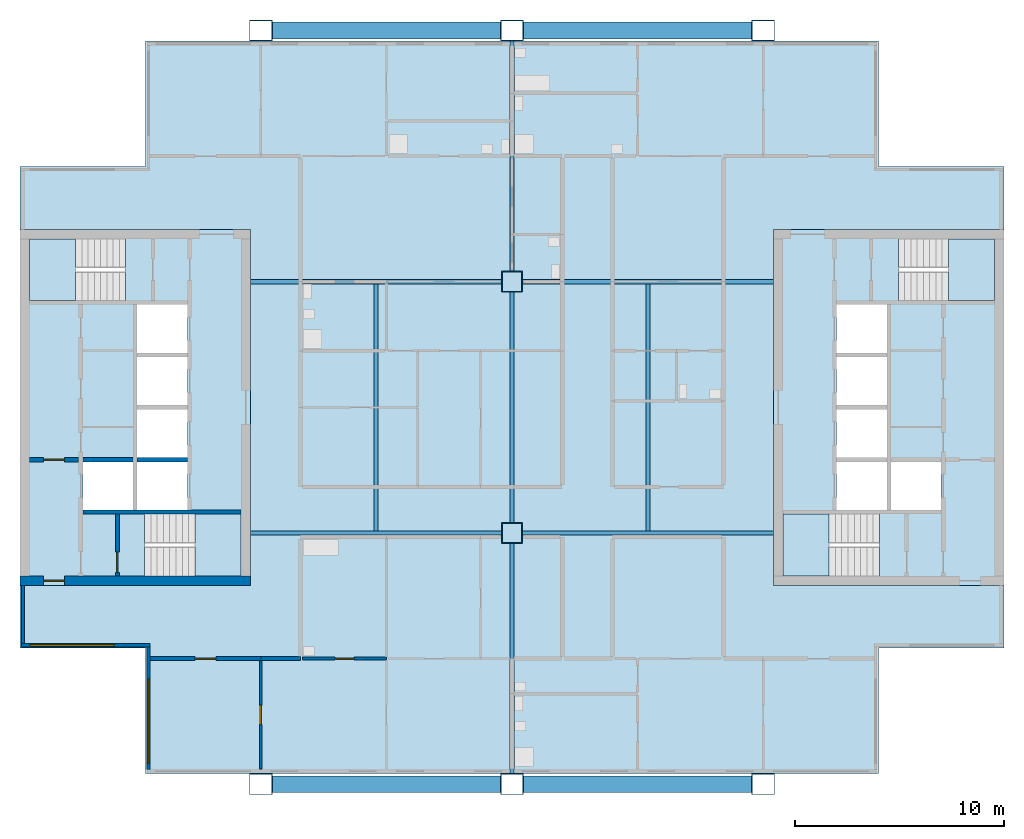
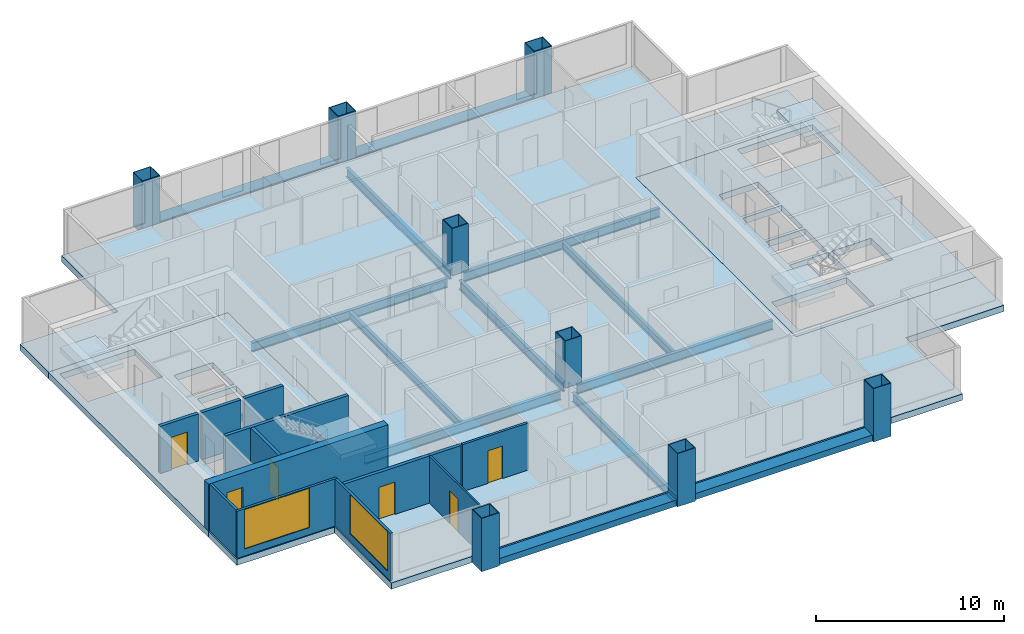
# One storey, part 1 of 9: 13 beams, 13 walls, 8 columns, 7 slabs, 6 doors, 2 windows, 8 openings, 4 elements without a shape of their own.
"""IFC4 building model written with IfcOpenShell, lengths in metres."""

from ifc_helpers import new_model, si_unit, direction, frame, frame_2d, origin, origin_2d, place, context, subcontext, project, spatial, polyline, rectangle, hollow_rectangle, i_section, outline, extrude, material, layer, layer_set, material_profile, profile_set, type_object, element, fill, aggregate, save


model = new_model("IFC4")

# Units and contexts
model_context = context("Model", 3, precision=1e-05, world=origin(), true_north=direction((0.0, 1.0)))
body_context = subcontext(model_context, "Body", "Model", "MODEL_VIEW")
ifc_project = project(units=[si_unit("LENGTHUNIT", "METRE"), si_unit("AREAUNIT", "SQUARE_METRE"), si_unit("VOLUMEUNIT", "CUBIC_METRE"), si_unit("PLANEANGLEUNIT", "RADIAN"), si_unit("MASSUNIT", "GRAM", prefix="KILO")], contexts=[model_context])

# Site, building, storey
site_placement = place(None, origin())
site = spatial("IfcSite", under=ifc_project, at=site_placement, CompositionType="ELEMENT")
building_placement = place(site_placement, origin())
building = spatial("IfcBuilding", under=site, at=building_placement, Name="Kitamizu Gate Tower and Museum", CompositionType="ELEMENT")
storey_placement = place(building_placement, frame((0.0, 0.0, 221.39990234375)))
storey = spatial("IfcBuildingStorey", under=building, at=storey_placement, Name="L59", CompositionType="ELEMENT", Elevation=221.39990234375)

# Columns
ifc_material_1 = material(Name="Steel SM490A bronze coated", Category="steel")
ifc_material_profile_1 = material_profile(ifc_material_1, hollow_rectangle(XDim=1.10009765625, YDim=1.0, WallThickness=0.0400390625, at=origin_2d()), Name="BOX 1100x1000x40")
ifc_profile_set_1 = profile_set([ifc_material_profile_1], Name="Steel SM490A bronze coated")
column_type_1 = type_object("IfcColumnType", Name="Exoskeleton column XC8 BOX 1100x1000x40", PredefinedType="COLUMN", material=ifc_profile_set_1)
for number, where, z_axis, x_axis, name in (
    (1, (24.0, 12.0, -0.39990234375), (0.0, 0.0, 1.0), (1.0, 0.0, 0.0), "Column XC8 3B L59"),
    (2, (24.0, 48.0, -0.39990234375), (0.0, 0.0, 1.0), (1.0, 0.0, 0.0), "Column XC8 3E L59"),
    (3, (36.0, 12.0, -0.39990234375), (0.0, 0.0, 1.0), (1.0, 0.0, 0.0), "Column XC8 4B L59"),
    (4, (36.0, 48.0, -0.39990234375), (0.0, 0.0, 1.0), (1.0, 0.0, 0.0), "Column XC8 4E L59"),
    (5, (48.0, 12.0, -0.39990234375), (0.0, 0.0, 1.0), (1.0, 0.0, 0.0), "Column XC8 5B L59"),
    (6, (48.0, 48.0, -0.39990234375), (0.0, 0.0, 1.0), (1.0, 0.0, 0.0), "Column XC8 5E L59"),
):
    element("IfcColumn", number, at=place(storey_placement, frame(where, z_axis=z_axis, x_axis=x_axis)), inside=storey, type_object=column_type_1, Name=name, PredefinedType="COLUMN", context=body_context, shape_type="SweptSolid", body=[
        extrude(hollow_rectangle(XDim=1.10009765625, YDim=1.0, WallThickness=0.0400390625, at=origin_2d()), origin(), (0.0, 0.0, 1.0), 3.449951171875),
    ])
ifc_material_2 = material(Name="Steel SM490A", Category="steel")
ifc_material_profile_2 = material_profile(ifc_material_2, hollow_rectangle(XDim=1.0, YDim=1.0, WallThickness=0.0400390625, at=origin_2d()), Name="BOX 1000x1000x40")
ifc_profile_set_2 = profile_set([ifc_material_profile_2], Name="Steel SM490A")
column_type_2 = type_object("IfcColumnType", Name="Interior column IC5 BOX 1000x1000x40", PredefinedType="COLUMN", material=ifc_profile_set_2)
for number, where, z_axis, x_axis, name in (
    (7, (36.0, 24.0, 0.0), (0.0, 0.0, 1.0), (1.0, 0.0, 0.0), "Column IC5 4C L59"),
    (8, (36.0, 36.0, 0.0), (0.0, 0.0, 1.0), (1.0, 0.0, 0.0), "Column IC5 4D L59"),
):
    element("IfcColumn", number, at=place(storey_placement, frame(where, z_axis=z_axis, x_axis=x_axis)), inside=storey, type_object=column_type_2, Name=name, PredefinedType="COLUMN", context=body_context, shape_type="SweptSolid", body=[
        extrude(hollow_rectangle(XDim=1.0, YDim=1.0, WallThickness=0.0400390625, at=origin_2d()), origin(), (0.0, 0.0, 1.0), 3.050048828125),
    ])

# Beams
ifc_material_3 = material(Name="Steel SM490A bronze coated", Category="steel")
ifc_material_profile_3 = material_profile(ifc_material_3, hollow_rectangle(XDim=0.800048828125, YDim=0.39990234375, WallThickness=0.0400390625, at=origin_2d()), Name="BOX 800x400x40")
ifc_profile_set_3 = profile_set([ifc_material_profile_3], Name="Steel SM490A bronze coated")
beam_type_1 = type_object("IfcBeamType", Name="Exoskeleton spandrel beam SB1 BOX 800x400x40", PredefinedType="SPANDREL", material=ifc_profile_set_3)
for number, where, z_axis, x_axis, name in (
    (9, (24.550048828125, 12.0, -0.199951171875), (1.0, 0.0, 0.0), (0.0, 1.0, 0.0), "Exoskeleton spandrel beam south 24 L59"),
    (10, (36.550048828125, 12.0, -0.199951171875), (1.0, 0.0, 0.0), (0.0, 1.0, 0.0), "Exoskeleton spandrel beam south 36 L59"),
    (11, (24.550048828125, 48.0, -0.199951171875), (1.0, 0.0, 0.0), (0.0, 1.0, 0.0), "Exoskeleton spandrel beam north 24 L59"),
    (12, (36.550048828125, 48.0, -0.199951171875), (1.0, 0.0, 0.0), (0.0, 1.0, 0.0), "Exoskeleton spandrel beam north 36 L59"),
):
    element("IfcBeam", number, at=place(storey_placement, frame(where, z_axis=z_axis, x_axis=x_axis)), inside=storey, type_object=beam_type_1, Name=name, PredefinedType="SPANDREL", context=body_context, shape_type="SweptSolid", body=[
        extrude(hollow_rectangle(XDim=0.800048828125, YDim=0.39990234375, WallThickness=0.0400390625, at=origin_2d()), origin(), (0.0, 0.0, 1.0), 10.89990234375),
    ])
ifc_material_4 = material(Name="Steel SM490A", Category="steel")
ifc_material_profile_4 = material_profile(ifc_material_4, i_section(OverallWidth=0.199951171875, OverallDepth=0.5, WebThickness=0.010009765625, FlangeThickness=0.01611328125, FilletRadius=0.02001953125, at=origin_2d()), Name="H-500x200x10x16")
ifc_profile_set_4 = profile_set([ifc_material_profile_4], Name="Steel SM490A")
beam_type_2 = type_object("IfcBeamType", Name="Floor beam FB1 H 500x200x10x16", PredefinedType="BEAM", material=ifc_profile_set_4)
for number, where, z_axis, x_axis, name in (
    (13, (29.5, 24.10009765625, -0.64990234375), (0.0, 1.0, 0.0), (-1.0, 0.0, 0.0), "Floor beam FB1 L59-1"),
    (14, (42.5, 24.10009765625, -0.64990234375), (0.0, 1.0, 0.0), (-1.0, 0.0, 0.0), "Floor beam FB1 L59-2"),
):
    element("IfcBeam", number, at=place(storey_placement, frame(where, z_axis=z_axis, x_axis=x_axis)), inside=storey, type_object=beam_type_2, Name=name, PredefinedType="BEAM", context=body_context, shape_type="SweptSolid", body=[
        extrude(i_section(OverallWidth=0.199951171875, OverallDepth=0.5, WebThickness=0.010009765625, FlangeThickness=0.01611328125, FilletRadius=0.02001953125, at=origin_2d()), origin(), (0.0, 0.0, 1.0), 11.7998046875),
    ])
ifc_material_5 = material(Name="Steel SM490A", Category="steel")
ifc_material_profile_5 = material_profile(ifc_material_5, i_section(OverallWidth=0.199951171875, OverallDepth=0.60009765625, WebThickness=0.010986328125, FlangeThickness=0.01708984375, FilletRadius=0.02197265625, at=origin_2d()), Name="H-600x200x11x17")
ifc_profile_set_5 = profile_set([ifc_material_profile_5], Name="Steel SM490A")
beam_type_3 = type_object("IfcBeamType", Name="Floor girder FG1 H 600x200x11x17", PredefinedType="BEAM", material=ifc_profile_set_5)
for number, where, z_axis, x_axis, name in (
    (15, (36.0, 12.5, -0.699951171875), (0.0, 1.0, 0.0), (-1.0, 0.0, 0.0), "Floor girder FG1 x36 L59"),
    (16, (36.0, 24.5, -0.699951171875), (0.0, 1.0, 0.0), (-1.0, 0.0, 0.0), "Floor girder FG1 x36 L59"),
    (17, (36.0, 36.5, -0.699951171875), (0.0, 1.0, 0.0), (-1.0, 0.0, 0.0), "Floor girder FG1 x36 L59"),
):
    element("IfcBeam", number, at=place(storey_placement, frame(where, z_axis=z_axis, x_axis=x_axis)), inside=storey, type_object=beam_type_3, Name=name, PredefinedType="BEAM", context=body_context, shape_type="SweptSolid", body=[
        extrude(i_section(OverallWidth=0.199951171875, OverallDepth=0.60009765625, WebThickness=0.010986328125, FlangeThickness=0.01708984375, FilletRadius=0.02197265625, at=origin_2d()), origin(), (0.0, 0.0, 1.0), 11.0),
    ])
for number, where, z_axis, x_axis, name in (
    (18, (23.5, 24.0, -0.699951171875), (1.0, 0.0, 0.0), (0.0, 1.0, 0.0), "Floor girder FG1 y24 L59"),
    (19, (36.5, 24.0, -0.699951171875), (1.0, 0.0, 0.0), (0.0, 1.0, 0.0), "Floor girder FG1 y24 L59"),
    (20, (23.5, 36.0, -0.699951171875), (1.0, 0.0, 0.0), (0.0, 1.0, 0.0), "Floor girder FG1 y36 L59"),
    (21, (36.5, 36.0, -0.699951171875), (1.0, 0.0, 0.0), (0.0, 1.0, 0.0), "Floor girder FG1 y36 L59"),
):
    element("IfcBeam", number, at=place(storey_placement, frame(where, z_axis=z_axis, x_axis=x_axis)), inside=storey, type_object=beam_type_3, Name=name, PredefinedType="BEAM", context=body_context, shape_type="SweptSolid", body=[
        extrude(i_section(OverallWidth=0.199951171875, OverallDepth=0.60009765625, WebThickness=0.010986328125, FlangeThickness=0.01708984375, FilletRadius=0.02197265625, at=origin_2d()), origin(), (0.0, 0.0, 1.0), 12.0),
    ])

# Slabs
ifc_material_6 = material(Name="Concrete Fc36", Category="concrete")
ifc_layer_1 = layer(ifc_material_6, 0.39990234375)
ifc_layer_set_1 = layer_set([ifc_layer_1], Name="Concrete Fc36")
slab_type_1 = type_object("IfcSlabType", Name="Core floor slab 400", PredefinedType="FLOOR", material=ifc_layer_set_1)
slab_1_placement = place(storey_placement, frame((0.0, 0.0, -0.39990234375)))
element("IfcSlab", 22, at=slab_1_placement, inside=storey, type_object=slab_type_1, Name="Core floor slab W", PredefinedType="FLOOR", context=body_context, shape_type="SweptSolid", body=[
    extrude(outline(polyline([(12.5, 21.5), (23.5, 21.5), (23.5, 38.5), (12.5, 38.5), (12.5, 21.5)]), holes=[polyline([(15.5, 25.10009765625), (17.89990234375, 25.10009765625), (17.89990234375, 27.39990234375), (15.5, 27.39990234375), (15.5, 25.10009765625)]), polyline([(18.10009765625, 25.10009765625), (20.5, 25.10009765625), (20.5, 27.39990234375), (18.10009765625, 27.39990234375), (18.10009765625, 25.10009765625)]), polyline([(18.10009765625, 27.60009765625), (20.5, 27.60009765625), (20.5, 29.89990234375), (18.10009765625, 29.89990234375), (18.10009765625, 27.60009765625)]), polyline([(18.10009765625, 30.10009765625), (20.5, 30.10009765625), (20.5, 32.39990234375), (18.10009765625, 32.39990234375), (18.10009765625, 30.10009765625)]), polyline([(18.10009765625, 32.60009765625), (20.5, 32.60009765625), (20.5, 34.89990234375), (18.10009765625, 34.89990234375), (18.10009765625, 32.60009765625)]), polyline([(18.45068359375, 21.949951171875), (23.050048828125, 21.949951171875), (23.050048828125, 24.89990234375), (18.45068359375, 24.89990234375), (18.45068359375, 21.949951171875)]), polyline([(12.949951171875, 35.10009765625), (17.54931640625, 35.10009765625), (17.54931640625, 38.050048828125), (12.949951171875, 38.050048828125), (12.949951171875, 35.10009765625)])]), origin(), (0.0, 0.0, 1.0), 0.39990234375),
])
slab_2_placement = place(storey_placement, frame((0.0, 0.0, -0.39990234375)))
element("IfcSlab", 23, at=slab_2_placement, inside=storey, type_object=slab_type_1, Name="Core floor slab E", PredefinedType="FLOOR", context=body_context, shape_type="SweptSolid", body=[
    extrude(outline(polyline([(48.5, 21.5), (59.5, 21.5), (59.5, 38.5), (48.5, 38.5), (48.5, 21.5)]), holes=[polyline([(54.10009765625, 25.10009765625), (56.5, 25.10009765625), (56.5, 27.39990234375), (54.10009765625, 27.39990234375), (54.10009765625, 25.10009765625)]), polyline([(51.5, 25.10009765625), (53.89990234375, 25.10009765625), (53.89990234375, 27.39990234375), (51.5, 27.39990234375), (51.5, 25.10009765625)]), polyline([(51.5, 27.60009765625), (53.89990234375, 27.60009765625), (53.89990234375, 29.89990234375), (51.5, 29.89990234375), (51.5, 27.60009765625)]), polyline([(51.5, 30.10009765625), (53.89990234375, 30.10009765625), (53.89990234375, 32.39990234375), (51.5, 32.39990234375), (51.5, 30.10009765625)]), polyline([(51.5, 32.60009765625), (53.89990234375, 32.60009765625), (53.89990234375, 34.89990234375), (51.5, 34.89990234375), (51.5, 32.60009765625)]), polyline([(48.949951171875, 21.949951171875), (53.54931640625, 21.949951171875), (53.54931640625, 24.89990234375), (48.949951171875, 24.89990234375), (48.949951171875, 21.949951171875)]), polyline([(54.45068359375, 35.10009765625), (59.050048828125, 35.10009765625), (59.050048828125, 38.050048828125), (54.45068359375, 38.050048828125), (54.45068359375, 35.10009765625)])]), origin(), (0.0, 0.0, 1.0), 0.39990234375),
])
ifc_material_7 = material(Name="Concrete Fc36", Category="concrete")
ifc_layer_2 = layer(ifc_material_7, 0.39990234375)
ifc_layer_set_2 = layer_set([ifc_layer_2], Name="Concrete Fc36")
slab_type_2 = type_object("IfcSlabType", Name="Post tensioned flat slab 400", PredefinedType="FLOOR", material=ifc_layer_set_2)
slab_3_placement = place(storey_placement, frame((0.0, 0.0, -0.39990234375)))
element("IfcSlab", 24, at=slab_3_placement, inside=storey, type_object=slab_type_2, Name="Floor slab L59-1", PredefinedType="FLOOR", context=body_context, shape_type="SweptSolid", body=[
    extrude(outline(polyline([(12.5, 18.5), (12.5, 21.5), (23.5, 21.5), (23.5, 38.5), (12.5, 38.5), (12.5, 41.5), (18.5, 41.5), (18.5, 47.5), (53.5, 47.5), (53.5, 41.5), (59.5, 41.5), (59.5, 38.5), (48.5, 38.5), (48.5, 21.5), (59.5, 21.5), (59.5, 18.5), (53.5, 18.5), (53.5, 12.5), (18.5, 12.5), (18.5, 18.5), (12.5, 18.5)])), origin(), (0.0, 0.0, 1.0), 0.39990234375),
])

# Stair, slab
ifc_material_8 = material(Name="Concrete Fc42", Category="concrete")
stair_type = type_object("IfcStairType", Name="Exit stair 1375 wide 192 rise 300 going", PredefinedType="HALF_TURN_STAIR", material=ifc_material_8)
stair_1_placement = place(storey_placement, origin())
stair_1 = element("IfcStair", 25, at=stair_1_placement, inside=storey, type_object=stair_type, Name="Exit stair ST1", PredefinedType="HALF_TURN_STAIR")
ifc_material_9 = material(Name="Concrete Fc42", Category="concrete")
ifc_layer_3 = layer(ifc_material_9, 0.300048828125)
ifc_layer_set_3 = layer_set([ifc_layer_3], Name="Concrete Fc42")
slab_type_3 = type_object("IfcSlabType", Name="Stair landing 300", PredefinedType="LANDING", material=ifc_layer_set_3)
slab_4_placement = place(storey_placement, frame((0.0, 0.0, 1.425048828125)))
slab_4 = element("IfcSlab", 26, at=slab_4_placement, type_object=slab_type_3, Name="ST1 landing 1", PredefinedType="LANDING", context=body_context, shape_type="SweptSolid", body=[
    extrude(outline(polyline([(20.85009765625, 21.949951171875), (23.050048828125, 21.949951171875), (23.050048828125, 24.89990234375), (20.85009765625, 24.89990234375), (20.85009765625, 21.949951171875)])), origin(), (0.0, 0.0, 1.0), 0.300048828125),
])
aggregate(stair_1, [slab_4])

stair_2_placement = place(storey_placement, origin())
stair_2 = element("IfcStair", 27, at=stair_2_placement, inside=storey, type_object=stair_type, Name="Exit stair ST2", PredefinedType="HALF_TURN_STAIR")
slab_5_placement = place(storey_placement, frame((0.0, 0.0, 1.425048828125)))
slab_5 = element("IfcSlab", 28, at=slab_5_placement, type_object=slab_type_3, Name="ST2 landing 1", PredefinedType="LANDING", context=body_context, shape_type="SweptSolid", body=[
    extrude(outline(polyline([(12.949951171875, 35.10009765625), (15.14990234375, 35.10009765625), (15.14990234375, 38.050048828125), (12.949951171875, 38.050048828125), (12.949951171875, 35.10009765625)])), origin(), (0.0, 0.0, 1.0), 0.300048828125),
])
aggregate(stair_2, [slab_5])

stair_3_placement = place(storey_placement, origin())
stair_3 = element("IfcStair", 29, at=stair_3_placement, inside=storey, type_object=stair_type, Name="Exit stair ST3", PredefinedType="HALF_TURN_STAIR")
slab_6_placement = place(storey_placement, frame((0.0, 0.0, 1.425048828125)))
slab_6 = element("IfcSlab", 30, at=slab_6_placement, type_object=slab_type_3, Name="ST3 landing 1", PredefinedType="LANDING", context=body_context, shape_type="SweptSolid", body=[
    extrude(outline(polyline([(48.949951171875, 21.949951171875), (51.14990234375, 21.949951171875), (51.14990234375, 24.89990234375), (48.949951171875, 24.89990234375), (48.949951171875, 21.949951171875)])), origin(), (0.0, 0.0, 1.0), 0.300048828125),
])
aggregate(stair_3, [slab_6])

stair_4_placement = place(storey_placement, origin())
stair_4 = element("IfcStair", 31, at=stair_4_placement, inside=storey, type_object=stair_type, Name="Exit stair ST4", PredefinedType="HALF_TURN_STAIR")
slab_7_placement = place(storey_placement, frame((0.0, 0.0, 1.425048828125)))
slab_7 = element("IfcSlab", 32, at=slab_7_placement, type_object=slab_type_3, Name="ST4 landing 1", PredefinedType="LANDING", context=body_context, shape_type="SweptSolid", body=[
    extrude(outline(polyline([(56.85009765625, 35.10009765625), (59.050048828125, 35.10009765625), (59.050048828125, 38.050048828125), (56.85009765625, 38.050048828125), (56.85009765625, 35.10009765625)])), origin(), (0.0, 0.0, 1.0), 0.300048828125),
])
aggregate(stair_4, [slab_7])

# Wall, opening, door
ifc_material_10 = material(Name="Concrete Fc42", Category="concrete")
ifc_layer_4 = layer(ifc_material_10, 0.449951171875)
ifc_layer_set_4 = layer_set([ifc_layer_4], Name="Concrete Fc42")
wall_type_1 = type_object("IfcWallType", Name="Core wall 450", PredefinedType="SHEAR", material=ifc_layer_set_4)
wall_1_placement = place(storey_placement, frame((12.5, 21.72509765625, 0.0), z_axis=(0.0, 0.0, 1.0), x_axis=(1.0, 0.0, 0.0)))
wall_1 = element("IfcWall", 33, at=wall_1_placement, inside=storey, type_object=wall_type_1, Name="Core wall WS", PredefinedType="SHEAR", context=body_context, shape_type="SweptSolid", body=[
    extrude(rectangle(XDim=11.0, YDim=0.449951171875, at=frame_2d((5.5, 0.0))), origin(), (0.0, 0.0, 1.0), 3.050048828125),
])
opening_1_placement = place(wall_1_placement, frame((1.125, 0.0, 0.0)))
opening_1 = element("IfcOpeningElement", 34, at=opening_1_placement, cuts=wall_1, Name="Opening L59-039", PredefinedType="OPENING", context=body_context, shape_type="SweptSolid", body=[
    extrude(rectangle(XDim=1.0, YDim=2.10009765625, at=frame_2d((0.5, 1.050048828125))), frame((0.0, 0.23486328125, 0.0), z_axis=(0.0, -1.0, 0.0), x_axis=(1.0, 0.0, 0.0)), (0.0, 0.0, 1.0), 0.469970703125),
])
ifc_material_11 = material(Name="Hollow metal door set")
door_type_1 = type_object("IfcDoorType", Name="Fire door 1000", OperationType="NOTDEFINED", PredefinedType="DOOR", material=ifc_material_11)
door_1_placement = place(opening_1_placement, origin())
door_1 = element("IfcDoor", 35, at=door_1_placement, inside=storey, type_object=door_type_1, Name="Fire-fighting lobby door L59-039", OperationType="SINGLE_SWING_LEFT", OverallHeight=2.10009765625, OverallWidth=1.0, PredefinedType="DOOR", context=body_context, shape_type="SweptSolid", body=[
    extrude(rectangle(XDim=1.0, YDim=2.10009765625, at=frame_2d((0.5, 1.050048828125))), frame((0.0, 0.02490234375, 0.0), z_axis=(0.0, -1.0, 0.0), x_axis=(1.0, 0.0, 0.0)), (0.0, 0.0, 1.0), 0.050048828125),
])
fill(opening_1, door_1)

ifc_material_12 = material(Name="Gypsum board on galvanised stud")
ifc_layer_5 = layer(ifc_material_12, 0.10009765625)
ifc_layer_set_5 = layer_set([ifc_layer_5], Name="Gypsum board on galvanised stud")
wall_type_2 = type_object("IfcWallType", Name="Partition 100 NOT RATED", PredefinedType="PARTITIONING", material=ifc_layer_set_5)
wall_2_placement = place(storey_placement, frame((24.0, 12.719970703125, 0.0), z_axis=(0.0, 0.0, 1.0), x_axis=(0.0, 1.0, 0.0)))
wall_2 = element("IfcWall", 36, at=wall_2_placement, inside=storey, type_object=wall_type_2, Name="Partition L59-001", PredefinedType="PARTITIONING", context=body_context, shape_type="SweptSolid", body=[
    extrude(rectangle(XDim=5.179931640625, YDim=0.10009765625, at=frame_2d((2.58984375, 0.0))), origin(), (0.0, 0.0, 1.0), 3.050048828125),
])
opening_2_placement = place(wall_2_placement, frame((2.139892578125, 0.0, 0.0)))
opening_2 = element("IfcOpeningElement", 37, at=opening_2_placement, cuts=wall_2, Name="Opening L59-002", PredefinedType="OPENING", context=body_context, shape_type="SweptSolid", body=[
    extrude(rectangle(XDim=0.89990234375, YDim=2.10009765625, at=frame_2d((0.449951171875, 1.050048828125))), frame((0.0, 0.06005859375, 0.0), z_axis=(0.0, -1.0, 0.0), x_axis=(1.0, 0.0, 0.0)), (0.0, 0.0, 1.0), 0.1201171875),
])
ifc_material_13 = material(Name="Timber door set", Category="wood")
door_type_2 = type_object("IfcDoorType", Name="Room door 900", OperationType="NOTDEFINED", PredefinedType="DOOR", material=ifc_material_13)
door_2_placement = place(opening_2_placement, frame((0.89990234375, 0.0, 0.0), x_axis=(-1.0, 0.0, 0.0)))
door_2 = element("IfcDoor", 38, at=door_2_placement, inside=storey, type_object=door_type_2, Name="Door L59-002", OperationType="SINGLE_SWING_RIGHT", OverallHeight=2.10009765625, OverallWidth=0.89990234375, PredefinedType="DOOR", context=body_context, shape_type="SweptSolid", body=[
    extrude(rectangle(XDim=0.89990234375, YDim=2.10009765625, at=frame_2d((0.449951171875, 1.050048828125))), frame((0.0, 0.02490234375, 0.0), z_axis=(0.0, -1.0, 0.0), x_axis=(1.0, 0.0, 0.0)), (0.0, 0.0, 1.0), 0.050048828125),
])
fill(opening_2, door_2)

ifc_material_14 = material(Name="Gypsum board on galvanised stud")
ifc_layer_6 = layer(ifc_material_14, 0.14990234375)
ifc_layer_set_6 = layer_set([ifc_layer_6], Name="Gypsum board on galvanised stud")
wall_type_3 = type_object("IfcWallType", Name="Partition 150", PredefinedType="PARTITIONING", material=ifc_layer_set_6)
wall_3_placement = place(storey_placement, frame((30.0, 18.0, 0.0), z_axis=(0.0, 0.0, 1.0), x_axis=(-1.0, 0.0, 0.0)))
wall_3 = element("IfcWall", 39, at=wall_3_placement, inside=storey, type_object=wall_type_3, Name="Partition L59-004", PredefinedType="PARTITIONING", context=body_context, shape_type="SweptSolid", body=[
    extrude(rectangle(XDim=4.0, YDim=0.14990234375, at=frame_2d((2.0, 0.0))), origin(), (0.0, 0.0, 1.0), 3.050048828125),
])
opening_3_placement = place(wall_3_placement, frame((1.550048828125, 0.0, 0.0)))
opening_3 = element("IfcOpeningElement", 40, at=opening_3_placement, cuts=wall_3, Name="Opening L59-004", PredefinedType="OPENING", context=body_context, shape_type="SweptSolid", body=[
    extrude(rectangle(XDim=0.89990234375, YDim=2.10009765625, at=frame_2d((0.449951171875, 1.050048828125))), frame((0.0, 0.0849609375, 0.0), z_axis=(0.0, -1.0, 0.0), x_axis=(1.0, 0.0, 0.0)), (0.0, 0.0, 1.0), 0.169921875),
])
ifc_material_15 = material(Name="Timber door set", Category="wood")
door_type_3 = type_object("IfcDoorType", Name="Bathroom door 900", OperationType="NOTDEFINED", PredefinedType="DOOR", material=ifc_material_15)
door_3_placement = place(opening_3_placement, frame((0.89990234375, 0.0, 0.0), x_axis=(-1.0, 0.0, 0.0)))
door_3 = element("IfcDoor", 41, at=door_3_placement, inside=storey, type_object=door_type_3, Name="Bathroom door L59-004", OperationType="SINGLE_SWING_RIGHT", OverallHeight=2.10009765625, OverallWidth=0.89990234375, PredefinedType="DOOR", context=body_context, shape_type="SweptSolid", body=[
    extrude(rectangle(XDim=0.89990234375, YDim=2.10009765625, at=frame_2d((0.449951171875, 1.050048828125))), frame((0.0, 0.02490234375, 0.0), z_axis=(0.0, -1.0, 0.0), x_axis=(1.0, 0.0, 0.0)), (0.0, 0.0, 1.0), 0.050048828125),
])
fill(opening_3, door_3)

ifc_material_16 = material(Name="Gypsum board on galvanised stud")
ifc_layer_7 = layer(ifc_material_16, 0.199951171875)
ifc_layer_set_7 = layer_set([ifc_layer_7], Name="Gypsum board on galvanised stud")
wall_type_4 = type_object("IfcWallType", Name="Partition 200", PredefinedType="PARTITIONING", material=ifc_layer_set_7)
wall_4_placement = place(storey_placement, frame((24.0, 18.0, 0.0), z_axis=(0.0, 0.0, 1.0), x_axis=(-1.0, 0.0, 0.0)))
wall_4 = element("IfcWall", 42, at=wall_4_placement, inside=storey, type_object=wall_type_4, Name="Partition L59-002", PredefinedType="PARTITIONING", context=body_context, shape_type="SweptSolid", body=[
    extrude(rectangle(XDim=5.280029296875, YDim=0.199951171875, at=frame_2d((2.64013671875, 0.0))), origin(), (0.0, 0.0, 1.0), 3.050048828125),
])
opening_4_placement = place(wall_4_placement, frame((2.139892578125, 0.0, 0.0)))
opening_4 = element("IfcOpeningElement", 43, at=opening_4_placement, cuts=wall_4, Name="Opening L59-001", PredefinedType="OPENING", context=body_context, shape_type="SweptSolid", body=[
    extrude(rectangle(XDim=1.0, YDim=2.10009765625, at=frame_2d((0.5, 1.050048828125))), frame((0.0, 0.10986328125, 0.0), z_axis=(0.0, -1.0, 0.0), x_axis=(1.0, 0.0, 0.0)), (0.0, 0.0, 1.0), 0.219970703125),
])
ifc_material_17 = material(Name="Timber door set", Category="wood")
door_type_4 = type_object("IfcDoorType", Name="Flat entrance door 1000", OperationType="NOTDEFINED", PredefinedType="DOOR", material=ifc_material_17)
door_4_placement = place(opening_4_placement, origin())
door_4 = element("IfcDoor", 44, at=door_4_placement, inside=storey, type_object=door_type_4, Name="Flat entrance door L59-001", OperationType="SINGLE_SWING_RIGHT", OverallHeight=2.10009765625, OverallWidth=1.0, PredefinedType="DOOR", context=body_context, shape_type="SweptSolid", body=[
    extrude(rectangle(XDim=1.0, YDim=2.10009765625, at=frame_2d((0.5, 1.050048828125))), frame((0.0, 0.02490234375, 0.0), z_axis=(0.0, -1.0, 0.0), x_axis=(1.0, 0.0, 0.0)), (0.0, 0.0, 1.0), 0.050048828125),
])
fill(opening_4, door_4)

# Walls
wall_5_placement = place(storey_placement, frame((25.89990234375, 18.0, 0.0), z_axis=(0.0, 0.0, 1.0), x_axis=(-1.0, 0.0, 0.0)))
element("IfcWall", 45, at=wall_5_placement, inside=storey, type_object=wall_type_4, Name="Partition L59-005", PredefinedType="PARTITIONING", context=body_context, shape_type="SweptSolid", body=[
    extrude(rectangle(XDim=1.89990234375, YDim=0.199951171875, at=frame_2d((0.949951171875, 0.0))), origin(), (0.0, 0.0, 1.0), 3.050048828125),
])
ifc_material_18 = material(Name="Concrete Fc42", Category="concrete")
ifc_layer_8 = layer(ifc_material_18, 0.199951171875)
ifc_layer_set_8 = layer_set([ifc_layer_8], Name="Concrete Fc42")
wall_type_5 = type_object("IfcWallType", Name="Shaft wall 200", PredefinedType="SOLIDWALL", material=ifc_layer_set_8)
wall_6_placement = place(storey_placement, frame((15.5, 25.0, 0.0), z_axis=(0.0, 0.0, 1.0), x_axis=(1.0, 0.0, 0.0)))
element("IfcWall", 46, at=wall_6_placement, inside=storey, type_object=wall_type_5, Name="Shaft wall WSB", PredefinedType="SOLIDWALL", context=body_context, shape_type="SweptSolid", body=[
    extrude(rectangle(XDim=7.550048828125, YDim=0.199951171875, at=frame_2d((3.77490234375, 0.0))), origin(), (0.0, 0.0, 1.0), 3.050048828125),
])

# Wall, opening, door
wall_7_placement = place(storey_placement, frame((12.949951171875, 27.5, 0.0), z_axis=(0.0, 0.0, 1.0), x_axis=(1.0, 0.0, 0.0)))
wall_7 = element("IfcWall", 47, at=wall_7_placement, inside=storey, type_object=wall_type_5, Name="Shaft wall WFFN", PredefinedType="SOLIDWALL", context=body_context, shape_type="SweptSolid", body=[
    extrude(rectangle(XDim=2.35009765625, YDim=0.199951171875, at=frame_2d((1.175048828125, 0.0))), origin(), (0.0, 0.0, 1.0), 3.050048828125),
])
opening_5_placement = place(wall_7_placement, frame((0.675048828125, 0.0, 0.0)))
opening_5 = element("IfcOpeningElement", 48, at=opening_5_placement, cuts=wall_7, Name="Opening L59-038", PredefinedType="OPENING", context=body_context, shape_type="SweptSolid", body=[
    extrude(rectangle(XDim=1.0, YDim=2.10009765625, at=frame_2d((0.5, 1.050048828125))), frame((0.0, 0.10986328125, 0.0), z_axis=(0.0, -1.0, 0.0), x_axis=(1.0, 0.0, 0.0)), (0.0, 0.0, 1.0), 0.219970703125),
])
door_5_placement = place(opening_5_placement, frame((1.0, 0.0, 0.0), x_axis=(-1.0, 0.0, 0.0)))
door_5 = element("IfcDoor", 49, at=door_5_placement, inside=storey, type_object=door_type_1, Name="Fire-fighting lobby door L59-038", OperationType="SINGLE_SWING_LEFT", OverallHeight=2.10009765625, OverallWidth=1.0, PredefinedType="DOOR", context=body_context, shape_type="SweptSolid", body=[
    extrude(rectangle(XDim=1.0, YDim=2.10009765625, at=frame_2d((0.5, 1.050048828125))), frame((0.0, 0.02490234375, 0.0), z_axis=(0.0, -1.0, 0.0), x_axis=(1.0, 0.0, 0.0)), (0.0, 0.0, 1.0), 0.050048828125),
])
fill(opening_5, door_5)

wall_8_placement = place(storey_placement, frame((17.14990234375, 21.949951171875, 0.0), z_axis=(0.0, 0.0, 1.0), x_axis=(0.0, 1.0, 0.0)))
wall_8 = element("IfcWall", 50, at=wall_8_placement, inside=storey, type_object=wall_type_5, Name="Shaft wall WSZ", PredefinedType="SOLIDWALL", context=body_context, shape_type="SweptSolid", body=[
    extrude(rectangle(XDim=2.949951171875, YDim=0.199951171875, at=frame_2d((1.47509765625, 0.0))), origin(), (0.0, 0.0, 1.0), 3.050048828125),
])
opening_6_placement = place(wall_8_placement, frame((0.14990234375, 0.0, 0.0)))
opening_6 = element("IfcOpeningElement", 51, at=opening_6_placement, cuts=wall_8, Name="Opening L59-034", PredefinedType="OPENING", context=body_context, shape_type="SweptSolid", body=[
    extrude(rectangle(XDim=1.0, YDim=2.10009765625, at=frame_2d((0.5, 1.050048828125))), frame((0.0, 0.10986328125, 0.0), z_axis=(0.0, -1.0, 0.0), x_axis=(1.0, 0.0, 0.0)), (0.0, 0.0, 1.0), 0.219970703125),
])
door_6_placement = place(opening_6_placement, frame((1.0, 0.0, 0.0), x_axis=(-1.0, 0.0, 0.0)))
door_6 = element("IfcDoor", 52, at=door_6_placement, inside=storey, type_object=door_type_1, Name="Stair door L59-034", OperationType="SINGLE_SWING_LEFT", OverallHeight=2.10009765625, OverallWidth=1.0, PredefinedType="DOOR", context=body_context, shape_type="SweptSolid", body=[
    extrude(rectangle(XDim=1.0, YDim=2.10009765625, at=frame_2d((0.5, 1.050048828125))), frame((0.0, 0.02490234375, 0.0), z_axis=(0.0, -1.0, 0.0), x_axis=(1.0, 0.0, 0.0)), (0.0, 0.0, 1.0), 0.050048828125),
])
fill(opening_6, door_6)

# Walls
for number, where, z_axis, x_axis, name in (
    (53, (15.5, 27.5, 0.0), (0.0, 0.0, 1.0), (1.0, 0.0, 0.0), "Shaft wall WDVW0"),
    (54, (18.10009765625, 27.5, 0.0), (0.0, 0.0, 1.0), (1.0, 0.0, 0.0), "Shaft wall WDVE0"),
):
    element("IfcWall", number, at=place(storey_placement, frame(where, z_axis=z_axis, x_axis=x_axis)), inside=storey, type_object=wall_type_5, Name=name, PredefinedType="SOLIDWALL", context=body_context, shape_type="SweptSolid", body=[
        extrude(rectangle(XDim=2.39990234375, YDim=0.199951171875, at=frame_2d((1.199951171875, 0.0))), origin(), (0.0, 0.0, 1.0), 3.050048828125),
    ])
ifc_material_19 = material(Name="Bronze anodised aluminium frame with insulated spandrel and tinted glass", Category="aluminium")
ifc_layer_9 = layer(ifc_material_19, 0.14990234375)
ifc_layer_set_9 = layer_set([ifc_layer_9], Name="Bronze anodised aluminium frame with insulated spandrel and tinted glass")
wall_type_6 = type_object("IfcWallType", Name="WINDOW WALL 150 BRONZE FRAME EI 30", PredefinedType="ELEMENTEDWALL", material=ifc_layer_set_9)
wall_9_placement = place(storey_placement, frame((12.635009765625, 18.7099609375, 0.0), z_axis=(0.0, 0.0, 1.0), x_axis=(0.0, 1.0, 0.0)))
element("IfcWall", 55, at=wall_9_placement, inside=storey, type_object=wall_type_6, Name="Window wall west L59", PredefinedType="ELEMENTEDWALL", context=body_context, shape_type="SweptSolid", body=[
    extrude(rectangle(XDim=2.7900390625, YDim=0.14990234375, at=frame_2d((1.39501953125, 0.0))), origin(), (0.0, 0.0, 1.0), 3.050048828125),
])

# Wall, opening, window
wall_10_placement = place(storey_placement, frame((12.56005859375, 18.635009765625, 0.0), z_axis=(0.0, 0.0, 1.0), x_axis=(1.0, 0.0, 0.0)))
wall_10 = element("IfcWall", 56, at=wall_10_placement, inside=storey, type_object=wall_type_6, Name="Window wall south L59", PredefinedType="ELEMENTEDWALL", context=body_context, shape_type="SweptSolid", body=[
    extrude(rectangle(XDim=6.14990234375, YDim=0.14990234375, at=frame_2d((3.074951171875, 0.0))), origin(), (0.0, 0.0, 1.0), 3.050048828125),
])
opening_7_placement = place(wall_10_placement, frame((0.43994140625, 0.0, 0.449951171875)))
opening_7 = element("IfcOpeningElement", 57, at=opening_7_placement, cuts=wall_10, Name="Opening W16", PredefinedType="OPENING", context=body_context, shape_type="SweptSolid", body=[
    extrude(rectangle(XDim=4.0, YDim=2.550048828125, at=frame_2d((2.0, 1.27490234375))), frame((0.0, 0.0849609375, 0.0), z_axis=(0.0, -1.0, 0.0), x_axis=(1.0, 0.0, 0.0)), (0.0, 0.0, 1.0), 0.169921875),
])
ifc_material_20 = material(Name="Bronze anodised aluminium frame, tinted triple glazing", Category="aluminium")
window_type = type_object("IfcWindowType", Name="WINDOW 4000 x 2550 SILL 450", PartitioningType="SINGLE_PANEL", PredefinedType="WINDOW", material=ifc_material_20)
window_1_placement = place(opening_7_placement, origin())
window_1 = element("IfcWindow", 58, at=window_1_placement, inside=storey, type_object=window_type, Name="Window W16 L59", OverallHeight=2.550048828125, OverallWidth=4.0, PartitioningType="SINGLE_PANEL", PredefinedType="WINDOW", context=body_context, shape_type="SweptSolid", body=[
    extrude(rectangle(XDim=4.0, YDim=2.550048828125, at=frame_2d((2.0, 1.27490234375))), frame((0.0, 0.030029296875, 0.0), z_axis=(0.0, -1.0, 0.0), x_axis=(1.0, 0.0, 0.0)), (0.0, 0.0, 1.0), 0.06005859375),
])
fill(opening_7, window_1)

wall_11_placement = place(storey_placement, frame((18.635009765625, 12.7099609375, 0.0), z_axis=(0.0, 0.0, 1.0), x_axis=(0.0, 1.0, 0.0)))
wall_11 = element("IfcWall", 59, at=wall_11_placement, inside=storey, type_object=wall_type_6, Name="Window wall west L59", PredefinedType="ELEMENTEDWALL", context=body_context, shape_type="SweptSolid", body=[
    extrude(rectangle(XDim=5.85009765625, YDim=0.14990234375, at=frame_2d((2.925048828125, 0.0))), origin(), (0.0, 0.0, 1.0), 3.050048828125),
])
opening_8_placement = place(wall_11_placement, frame((0.2900390625, 0.0, 0.449951171875)))
opening_8 = element("IfcOpeningElement", 60, at=opening_8_placement, cuts=wall_11, Name="Opening W16", PredefinedType="OPENING", context=body_context, shape_type="SweptSolid", body=[
    extrude(rectangle(XDim=4.0, YDim=2.550048828125, at=frame_2d((2.0, 1.27490234375))), frame((0.0, 0.0849609375, 0.0), z_axis=(0.0, -1.0, 0.0), x_axis=(1.0, 0.0, 0.0)), (0.0, 0.0, 1.0), 0.169921875),
])
window_2_placement = place(opening_8_placement, origin())
window_2 = element("IfcWindow", 61, at=window_2_placement, inside=storey, type_object=window_type, Name="Window W16 L59", OverallHeight=2.550048828125, OverallWidth=4.0, PartitioningType="SINGLE_PANEL", PredefinedType="WINDOW", context=body_context, shape_type="SweptSolid", body=[
    extrude(rectangle(XDim=4.0, YDim=2.550048828125, at=frame_2d((2.0, 1.27490234375))), frame((0.0, 0.030029296875, 0.0), z_axis=(0.0, -1.0, 0.0), x_axis=(1.0, 0.0, 0.0)), (0.0, 0.0, 1.0), 0.06005859375),
])
fill(opening_8, window_2)

save(model, "model.ifc")
